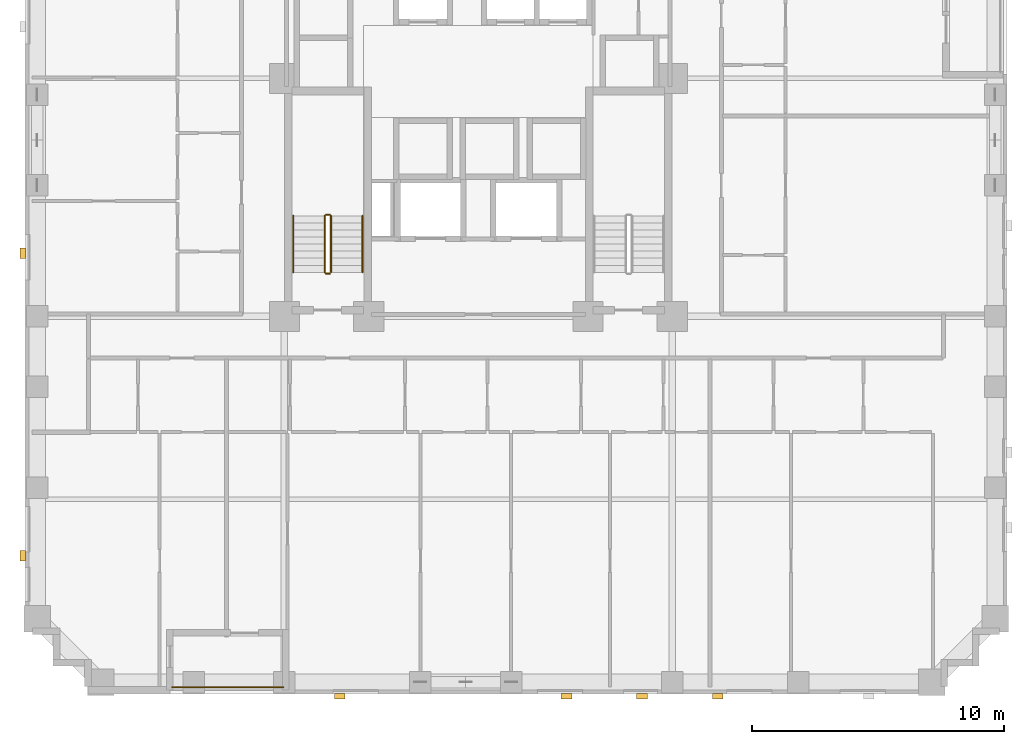
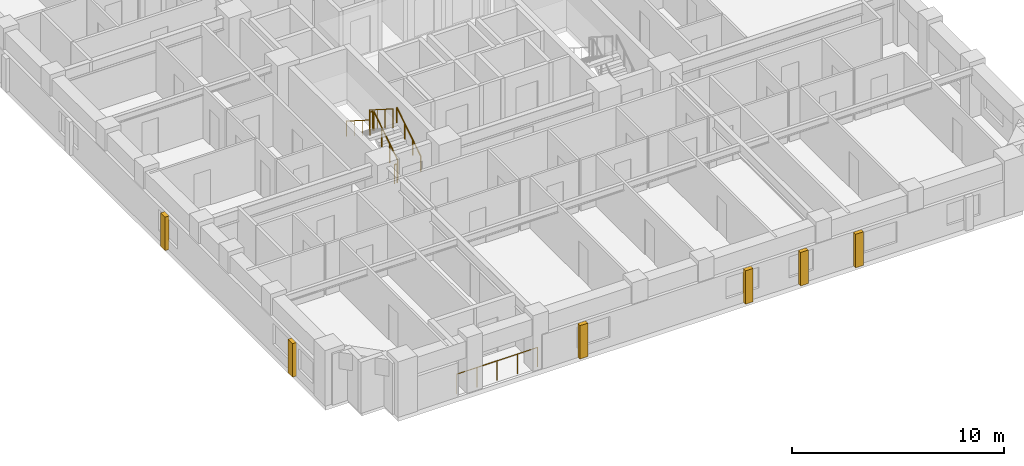
# One storey, part 12 of 14: 7 railings, 6 coverings.
"""IFC4 building model written with IfcOpenShell, lengths in metres."""

from ifc_helpers import new_model, si_unit, derived_unit, direction, frame, origin, origin_2d, place, context, subcontext, project, spatial, rectangle, circle, extrude, material, layer, layer_set, type_object, element, save


model = new_model("IFC4")

# Units and contexts
model_context = context("Model", 3, precision=1e-05, world=origin(), true_north=direction((0.0, 1.0)))
body_context = subcontext(model_context, "Body", "Model", "MODEL_VIEW")
ifc_project = project(units=[si_unit("LENGTHUNIT", "METRE"), si_unit("AREAUNIT", "SQUARE_METRE"), si_unit("VOLUMEUNIT", "CUBIC_METRE"), si_unit("PLANEANGLEUNIT", "RADIAN"), si_unit("MASSUNIT", "GRAM", prefix="KILO"), derived_unit("THERMALTRANSMITTANCEUNIT", [(si_unit("MASSUNIT", "GRAM", prefix="KILO"), 1), (si_unit("TIMEUNIT", "SECOND"), -3), (si_unit("THERMODYNAMICTEMPERATUREUNIT", "KELVIN"), -1)])], contexts=[model_context])

# Site, building, storey
site_placement = place(None, origin())
site = spatial("IfcSite", under=ifc_project, at=site_placement, CompositionType="ELEMENT")
building_placement = place(site_placement, origin())
building = spatial("IfcBuilding", under=site, at=building_placement, Name="Korrvale Station Residences", CompositionType="ELEMENT")
storey_placement = place(building_placement, frame((0.0, 0.0, 51.39990234375)))
storey = spatial("IfcBuildingStorey", under=building, at=storey_placement, Name="L13", CompositionType="ELEMENT", Elevation=51.39990234375)

# Coverings
ifc_material_1 = material(Name="Architectural precast concrete C45/55", Category="concrete")
ifc_layer = layer(ifc_material_1, 0.219970703125, Name="Architectural precast concrete C45/55")
ifc_layer_set = layer_set([ifc_layer], Name="Architectural precast concrete C45/55")
covering_type = type_object("IfcCoveringType", Name="COV-PIER-400", PredefinedType="CLADDING", material=ifc_layer_set)
for number, where, z_axis, x_axis, name in (
    (1, (35.0, -0.090087890625, 0.02490234375), (0.0, 0.0, 1.0), (1.0, 0.0, 0.0), "L13 Architectural Precast Facade Pier 02"),
    (2, (32.0, -0.090087890625, 0.02490234375), (0.0, 0.0, 1.0), (1.0, 0.0, 0.0), "L13 Architectural Precast Facade Pier 03"),
    (3, (29.0, -0.090087890625, 0.02490234375), (0.0, 0.0, 1.0), (1.0, 0.0, 0.0), "L13 Architectural Precast Facade Pier 04"),
    (4, (20.0, -0.090087890625, 0.02490234375), (0.0, 0.0, 1.0), (1.0, 0.0, 0.0), "L13 Architectural Precast Facade Pier 05"),
    (5, (7.409912109375, 5.5, 0.02490234375), (0.0, 0.0, 1.0), (0.0, 1.0, 0.0), "L13 Architectural Precast Facade Pier 12"),
    (6, (7.409912109375, 17.5, 0.02490234375), (0.0, 0.0, 1.0), (0.0, 1.0, 0.0), "L13 Architectural Precast Facade Pier 13"),
):
    element("IfcCovering", number, at=place(storey_placement, frame(where, z_axis=z_axis, x_axis=x_axis)), inside=storey, type_object=covering_type, Name=name, PredefinedType="CLADDING", context=body_context, shape_type="SweptSolid", body=[
        extrude(rectangle(XDim=0.419921875, YDim=0.219970703125, at=origin_2d()), origin(), (0.0, 0.0, 1.0), 1.925048828125),
    ])

# Railings
ifc_material_2 = material(Name="Powder-coated aluminium picket loggia guard", Category="aluminium")
railing_type_1 = type_object("IfcRailingType", Name="RLG-BAL-1150", PredefinedType="GUARDRAIL", material=ifc_material_2)
railing_1_placement = place(storey_placement, frame((13.35009765625, 0.27001953125, 0.0)))
element("IfcRailing", 7, at=railing_1_placement, inside=storey, type_object=railing_type_1, Name="L13 Recessed Loggia Guardrail BAL-L13-S1", PredefinedType="GUARDRAIL", context=body_context, shape_type="SweptSolid", body=[
    extrude(circle(Radius=0.02392578125, at=origin_2d()), frame((0.0, 0.0, 1.1259765625), z_axis=(1.0, 0.0, 0.0), x_axis=(0.0, 1.0, 0.0)), (0.0, 0.0, 1.0), 4.39990234375),
    extrude(circle(Radius=0.02099609375, at=origin_2d()), origin(), (0.0, 0.0, 1.0), 1.101806640625),
    extrude(circle(Radius=0.02099609375, at=origin_2d()), frame((1.10009765625, 0.0, 0.0)), (0.0, 0.0, 1.0), 1.101806640625),
    extrude(circle(Radius=0.02099609375, at=origin_2d()), frame((2.199951171875, 0.0, 0.0)), (0.0, 0.0, 1.0), 1.101806640625),
    extrude(circle(Radius=0.02099609375, at=origin_2d()), frame((3.2998046875, 0.0, 0.0)), (0.0, 0.0, 1.0), 1.101806640625),
    extrude(circle(Radius=0.02099609375, at=origin_2d()), frame((4.39990234375, 0.0, 0.0)), (0.0, 0.0, 1.0), 1.101806640625),
])
ifc_material_3 = material(Name="Brushed stainless-steel continuous stair handrail", Category="steel")
railing_type_2 = type_object("IfcRailingType", Name="RLG-SHND-900", PredefinedType="HANDRAIL", material=ifc_material_3)
railing_2_placement = place(storey_placement, frame((20.89990234375, 16.75, 0.177978515625)))
element("IfcRailing", 8, at=railing_2_placement, inside=storey, type_object=railing_type_2, Name="L13 ST-1 stair handrail 1", PredefinedType="HANDRAIL", context=body_context, shape_type="SweptSolid", body=[
    extrude(circle(Radius=0.02392578125, at=origin_2d()), frame((0.0, 0.0, 0.8759765625), z_axis=(0.0, 0.8442293374, 0.53598211339), x_axis=(-1.0, 0.0, 0.0)), (0.0, 0.0, 1.0), 2.6533203125),
    extrude(circle(Radius=0.02099609375, at=origin_2d()), origin(), (0.0, 0.0, 1.0), 0.851806640625),
    extrude(circle(Radius=0.02099609375, at=origin_2d()), frame((0.0, 0.74658203125, 0.47412109375)), (0.0, 0.0, 1.0), 0.851806640625),
    extrude(circle(Radius=0.02099609375, at=origin_2d()), frame((0.0, 1.493408203125, 0.947998046875)), (0.0, 0.0, 1.0), 0.851806640625),
    extrude(circle(Radius=0.02099609375, at=origin_2d()), frame((0.0, 2.239990234375, 1.422119140625)), (0.0, 0.0, 1.0), 0.851806640625),
])
railing_3_placement = place(storey_placement, frame((18.14990234375, 18.989990234375, 1.77783203125)))
element("IfcRailing", 9, at=railing_3_placement, inside=storey, type_object=railing_type_2, Name="L13 ST-1 stair handrail 2", PredefinedType="HANDRAIL", context=body_context, shape_type="SweptSolid", body=[
    extrude(circle(Radius=0.02392578125, at=origin_2d()), frame((0.0, 0.0, 0.8759765625), z_axis=(0.0, -0.84418770128, 0.536047689118), x_axis=(1.0, 0.0, 0.0)), (0.0, 0.0, 1.0), 2.6533203125),
    extrude(circle(Radius=0.02099609375, at=origin_2d()), origin(), (0.0, 0.0, 1.0), 0.851806640625),
    extrude(circle(Radius=0.02099609375, at=origin_2d()), frame((0.0, -0.74658203125, 0.47412109375)), (0.0, 0.0, 1.0), 0.851806640625),
    extrude(circle(Radius=0.02099609375, at=origin_2d()), frame((0.0, -1.493408203125, 0.9482421875)), (0.0, 0.0, 1.0), 0.851806640625),
    extrude(circle(Radius=0.02099609375, at=origin_2d()), frame((0.0, -2.239990234375, 1.42236328125)), (0.0, 0.0, 1.0), 0.851806640625),
])
ifc_material_4 = material(Name="Galvanised painted tubular steel stair guard", Category="steel")
railing_type_3 = type_object("IfcRailingType", Name="RLG-STR-1100", PredefinedType="GUARDRAIL", material=ifc_material_4)
railing_4_placement = place(storey_placement, frame((19.64990234375, 16.75, 0.177978515625)))
element("IfcRailing", 10, at=railing_4_placement, inside=storey, type_object=railing_type_3, Name="L13 ST-1 stair guard 1", PredefinedType="GUARDRAIL", context=body_context, shape_type="SweptSolid", body=[
    extrude(circle(Radius=0.02392578125, at=origin_2d()), frame((0.0, 0.0, 1.076171875), z_axis=(0.0, 0.8442293374, 0.53598211339), x_axis=(-1.0, 0.0, 0.0)), (0.0, 0.0, 1.0), 2.6533203125),
    extrude(circle(Radius=0.02099609375, at=origin_2d()), origin(), (0.0, 0.0, 1.0), 1.052001953125),
    extrude(circle(Radius=0.02099609375, at=origin_2d()), frame((0.0, 0.74658203125, 0.47412109375)), (0.0, 0.0, 1.0), 1.052001953125),
    extrude(circle(Radius=0.02099609375, at=origin_2d()), frame((0.0, 1.493408203125, 0.947998046875)), (0.0, 0.0, 1.0), 1.052001953125),
    extrude(circle(Radius=0.02099609375, at=origin_2d()), frame((0.0, 2.239990234375, 1.422119140625)), (0.0, 0.0, 1.0), 1.052001953125),
])
railing_5_placement = place(storey_placement, frame((19.60009765625, 19.0400390625, 1.60009765625)))
element("IfcRailing", 11, at=railing_5_placement, inside=storey, type_object=railing_type_3, Name="L13 ST-1 stair guard 2", PredefinedType="GUARDRAIL", context=body_context, shape_type="SweptSolid", body=[
    extrude(circle(Radius=0.02392578125, at=origin_2d()), frame((0.0, 0.0, 1.076171875), z_axis=(-1.0, 0.0, 0.0), x_axis=(0.0, -1.0, 0.0)), (0.0, 0.0, 1.0), 0.150146484375),
    extrude(circle(Radius=0.02099609375, at=origin_2d()), origin(), (0.0, 0.0, 1.0), 1.052001953125),
    extrude(circle(Radius=0.02099609375, at=origin_2d()), frame((-0.150146484375, 0.0, 0.0)), (0.0, 0.0, 1.0), 1.052001953125),
])
railing_6_placement = place(storey_placement, frame((19.39990234375, 18.989990234375, 1.77783203125)))
element("IfcRailing", 12, at=railing_6_placement, inside=storey, type_object=railing_type_3, Name="L13 ST-1 stair guard 3", PredefinedType="GUARDRAIL", context=body_context, shape_type="SweptSolid", body=[
    extrude(circle(Radius=0.02392578125, at=origin_2d()), frame((0.0, 0.0, 1.076171875), z_axis=(0.0, -0.84418770128, 0.536047689118), x_axis=(1.0, 0.0, 0.0)), (0.0, 0.0, 1.0), 2.6533203125),
    extrude(circle(Radius=0.02099609375, at=origin_2d()), origin(), (0.0, 0.0, 1.0), 1.052001953125),
    extrude(circle(Radius=0.02099609375, at=origin_2d()), frame((0.0, -0.74658203125, 0.47412109375)), (0.0, 0.0, 1.0), 1.052001953125),
    extrude(circle(Radius=0.02099609375, at=origin_2d()), frame((0.0, -1.493408203125, 0.9482421875)), (0.0, 0.0, 1.0), 1.052001953125),
    extrude(circle(Radius=0.02099609375, at=origin_2d()), frame((0.0, -2.239990234375, 1.42236328125)), (0.0, 0.0, 1.0), 1.052001953125),
])
railing_7_placement = place(storey_placement, frame((19.60009765625, 16.699951171875, 0.0)))
element("IfcRailing", 13, at=railing_7_placement, inside=storey, type_object=railing_type_3, Name="L13 ST-1 stair guard 4", PredefinedType="GUARDRAIL", context=body_context, shape_type="SweptSolid", body=[
    extrude(circle(Radius=0.02392578125, at=origin_2d()), frame((0.0, 0.0, 1.076171875), z_axis=(-1.0, 0.0, 0.0), x_axis=(0.0, -1.0, 0.0)), (0.0, 0.0, 1.0), 0.150146484375),
    extrude(circle(Radius=0.02099609375, at=origin_2d()), origin(), (0.0, 0.0, 1.0), 1.052001953125),
    extrude(circle(Radius=0.02099609375, at=origin_2d()), frame((-0.150146484375, 0.0, 0.0)), (0.0, 0.0, 1.0), 1.052001953125),
])

save(model, "model.ifc")
